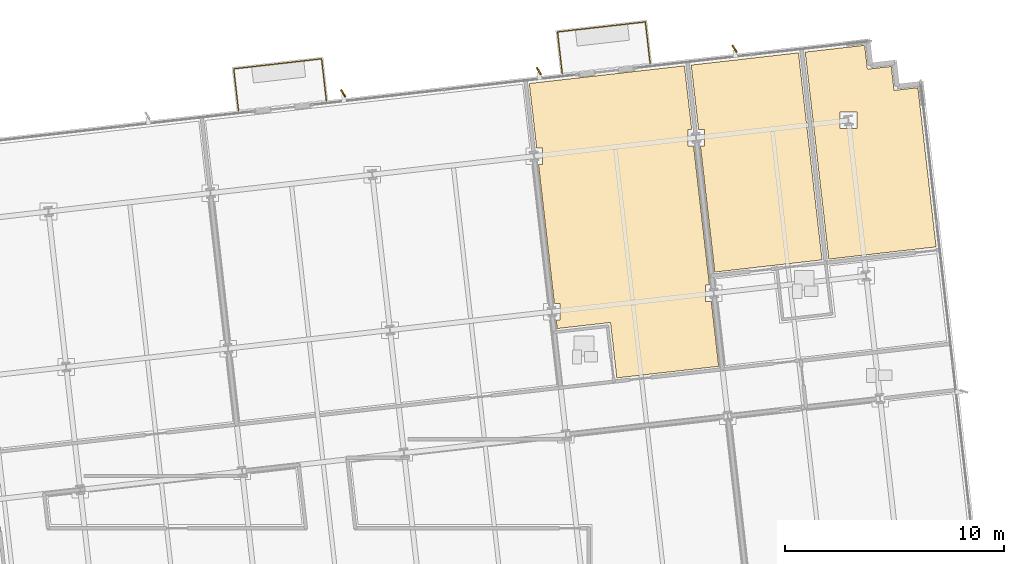
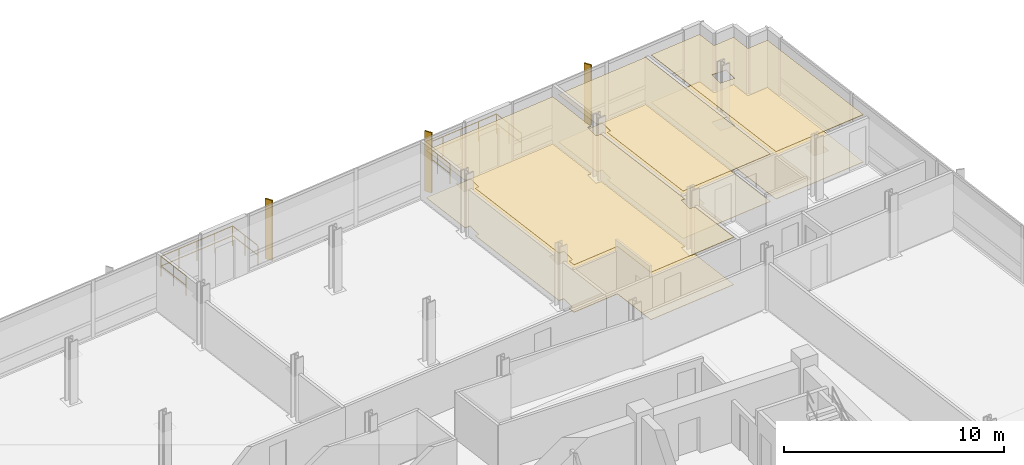
# One storey, part 15 of 16: 6 coverings, 6 railings, 3 shading devices.
"""IFC4 building model written with IfcOpenShell, lengths in metres."""

from ifc_helpers import new_model, si_unit, direction, frame, origin, origin_2d, place, context, subcontext, project, spatial, polyline, rectangle, circle, outline, extrude, material, layer, layer_set, type_object, element, save


model = new_model("IFC4")

# Units and contexts
model_context = context("Model", 3, precision=1e-05, world=origin(), true_north=direction((0.0, 1.0)))
body_context = subcontext(model_context, "Body", "Model", "MODEL_VIEW")
ifc_project = project(units=[si_unit("LENGTHUNIT", "METRE"), si_unit("AREAUNIT", "SQUARE_METRE"), si_unit("VOLUMEUNIT", "CUBIC_METRE"), si_unit("PLANEANGLEUNIT", "RADIAN"), si_unit("MASSUNIT", "GRAM", prefix="KILO")], contexts=[model_context])

# Site, building, storey
site_placement = place(None, origin())
site = spatial("IfcSite", under=ifc_project, at=site_placement, CompositionType="ELEMENT")
building_placement = place(site_placement, origin())
building = spatial("IfcBuilding", under=site, at=building_placement, Name="Solmavex Isthmus Hotel", CompositionType="ELEMENT")
storey_placement = place(building_placement, frame((0.0, 0.0, 233.10009765625)))
storey = spatial("IfcBuildingStorey", under=building, at=storey_placement, Name="L63", CompositionType="ELEMENT", Elevation=233.10009765625)

# Coverings
ifc_material_1 = material(Name="Gypsum plasterboard lining", Category="gypsum")
ifc_layer_1 = layer(ifc_material_1, 0.030029296875)
ifc_layer_set_1 = layer_set([ifc_layer_1], Name="Gypsum plasterboard lining")
covering_type_1 = type_object("IfcCoveringType", Name="COV-CEIL-GYP", PredefinedType="CEILING", material=ifc_layer_set_1)
covering_1_placement = place(storey_placement, frame((0.0, 0.0, 2.619873046875)))
element("IfcCovering", 1, at=covering_1_placement, inside=storey, type_object=covering_type_1, Name="Suspended Acoustic Ceiling L63-RM03", PredefinedType="CEILING", context=body_context, shape_type="SweptSolid", body=[
    extrude(outline(polyline([(10.833740234375, 10.821044921875), (11.10107421875, 10.821044921875), (11.10107421875, 10.06103515625), (10.92041015625, 10.06103515625), (10.96484375, 9.670654296875), (13.399169921875, 9.947998046875), (13.687744140625, 7.41455078125), (18.343505859375, 7.945068359375), (18.006591796875, 10.904052734375), (17.7392578125, 10.904052734375), (17.7392578125, 11.6640625), (17.919921875, 11.6640625), (17.19677734375, 18.010009765625), (16.929443359375, 18.010009765625), (16.929443359375, 18.77001953125), (17.1103515625, 18.77001953125), (16.779052734375, 21.676025390625), (9.68896484375, 20.868408203125), (10.024169921875, 17.92724609375), (10.29150390625, 17.92724609375), (10.29150390625, 17.167236328125), (10.110595703125, 17.167236328125), (10.833740234375, 10.821044921875)])), origin(), (0.0, 0.0, 1.0), 0.030029296875),
])
covering_2_placement = place(storey_placement, frame((0.0, 0.0, 2.619873046875)))
element("IfcCovering", 2, at=covering_2_placement, inside=storey, type_object=covering_type_1, Name="Suspended Acoustic Ceiling L63-HB04", PredefinedType="CEILING", context=body_context, shape_type="SweptSolid", body=[
    extrude(outline(polyline([(17.42236328125, 18.77001953125), (17.689453125, 18.77001953125), (17.689453125, 18.010009765625), (17.5087890625, 18.010009765625), (18.044189453125, 13.3115234375), (18.1650390625, 12.25048828125), (23.0673828125, 12.80908203125), (21.989501953125, 22.269775390625), (17.087158203125, 21.711181640625), (17.42236328125, 18.77001953125)])), origin(), (0.0, 0.0, 1.0), 0.030029296875),
])
covering_3_placement = place(storey_placement, frame((0.0, 0.0, 2.619873046875)))
element("IfcCovering", 3, at=covering_3_placement, inside=storey, type_object=covering_type_1, Name="Suspended Acoustic Ceiling L63-HP04", PredefinedType="CEILING", context=body_context, shape_type="SweptSolid", body=[
    extrude(outline(polyline([(25.013916015625, 22.6142578125), (24.194091796875, 22.52099609375), (22.29736328125, 22.304931640625), (23.375244140625, 12.843994140625), (28.277587890625, 13.402587890625), (27.542236328125, 19.85791015625), (27.44873046875, 20.677490234375), (26.35595703125, 20.552978515625), (26.231201171875, 21.64599609375), (25.138427734375, 21.521484375), (25.013916015625, 22.6142578125)]), holes=[polyline([(23.892578125, 19.5634765625), (24.652587890625, 19.5634765625), (24.652587890625, 18.803466796875), (23.892578125, 18.803466796875), (23.892578125, 19.5634765625)])]), origin(), (0.0, 0.0, 1.0), 0.030029296875),
])
ifc_material_2 = material(Name="Travertine natural stone", Category="masonry")
ifc_layer_2 = layer(ifc_material_2, 0.02490234375)
ifc_layer_set_2 = layer_set([ifc_layer_2], Name="Travertine natural stone")
covering_type_2 = type_object("IfcCoveringType", Name="COV-FLOR-STN", PredefinedType="FLOORING", material=ifc_layer_set_2)
covering_4_placement = place(storey_placement, origin())
element("IfcCovering", 4, at=covering_4_placement, inside=storey, type_object=covering_type_2, Name="Stone and Timber Floor Finish L63-RM03", PredefinedType="FLOORING", context=body_context, shape_type="SweptSolid", body=[
    extrude(outline(polyline([(10.833740234375, 10.821044921875), (11.10107421875, 10.821044921875), (11.10107421875, 10.06103515625), (10.92041015625, 10.06103515625), (10.96484375, 9.670654296875), (13.399169921875, 9.947998046875), (13.687744140625, 7.41455078125), (18.343505859375, 7.945068359375), (18.006591796875, 10.904052734375), (17.7392578125, 10.904052734375), (17.7392578125, 11.6640625), (17.919921875, 11.6640625), (17.19677734375, 18.010009765625), (16.929443359375, 18.010009765625), (16.929443359375, 18.77001953125), (17.1103515625, 18.77001953125), (16.779052734375, 21.676025390625), (9.68896484375, 20.868408203125), (10.024169921875, 17.92724609375), (10.29150390625, 17.92724609375), (10.29150390625, 17.167236328125), (10.110595703125, 17.167236328125), (10.833740234375, 10.821044921875)])), origin(), (0.0, 0.0, 1.0), 0.02490234375),
])
covering_5_placement = place(storey_placement, origin())
element("IfcCovering", 5, at=covering_5_placement, inside=storey, type_object=covering_type_2, Name="Stone and Timber Floor Finish L63-HB04", PredefinedType="FLOORING", context=body_context, shape_type="SweptSolid", body=[
    extrude(outline(polyline([(17.42236328125, 18.77001953125), (17.689453125, 18.77001953125), (17.689453125, 18.010009765625), (17.5087890625, 18.010009765625), (18.044189453125, 13.3115234375), (18.1650390625, 12.25048828125), (23.0673828125, 12.80908203125), (21.989501953125, 22.269775390625), (17.087158203125, 21.711181640625), (17.42236328125, 18.77001953125)])), origin(), (0.0, 0.0, 1.0), 0.02490234375),
])
covering_6_placement = place(storey_placement, origin())
element("IfcCovering", 6, at=covering_6_placement, inside=storey, type_object=covering_type_2, Name="Stone and Timber Floor Finish L63-HP04", PredefinedType="FLOORING", context=body_context, shape_type="SweptSolid", body=[
    extrude(outline(polyline([(25.013916015625, 22.6142578125), (24.194091796875, 22.52099609375), (22.29736328125, 22.304931640625), (23.375244140625, 12.843994140625), (28.277587890625, 13.402587890625), (27.542236328125, 19.85791015625), (27.44873046875, 20.677490234375), (26.35595703125, 20.552978515625), (26.231201171875, 21.64599609375), (25.138427734375, 21.521484375), (25.013916015625, 22.6142578125)]), holes=[polyline([(23.892578125, 19.5634765625), (24.652587890625, 19.5634765625), (24.652587890625, 18.803466796875), (23.892578125, 18.803466796875), (23.892578125, 19.5634765625)])]), origin(), (0.0, 0.0, 1.0), 0.02490234375),
])

# Railings
ifc_material_3 = material(Name="Clear low-E laminated glass", Category="glass")
ifc_layer_3 = layer(ifc_material_3, 0.070068359375)
ifc_layer_set_3 = layer_set([ifc_layer_3], Name="Clear low-E laminated glass")
railing_type = type_object("IfcRailingType", Name="RAIL-GUARD-1100", PredefinedType="BALUSTRADE", material=ifc_layer_set_3)
railing_1_placement = place(storey_placement, frame((-3.600341796875, 19.630859375, 0.0)))
element("IfcRailing", 7, at=railing_1_placement, inside=storey, type_object=railing_type, Name="Guardrail Balustrade L63-BAL1-01", PredefinedType="BALUSTRADE", context=body_context, shape_type="SweptSolid", body=[
    extrude(circle(Radius=0.02392578125, at=origin_2d()), frame((0.0, 0.0, 1.09619140625), z_axis=(-0.113166454875, 0.993576043135, 0.0), x_axis=(-0.993576043135, -0.113166454875, 0.0)), (0.0, 0.0, 1.0), 1.920166015625),
    extrude(circle(Radius=0.02392578125, at=origin_2d()), frame((0.0, 0.0, 0.56005859375), z_axis=(-0.113166454875, 0.993576043135, 0.0), x_axis=(-0.993576043135, -0.113166454875, 0.0)), (0.0, 0.0, 1.0), 1.920166015625),
    extrude(circle(Radius=0.02099609375, at=origin_2d()), origin(), (0.0, 0.0, 1.0), 1.072021484375),
    extrude(circle(Radius=0.02099609375, at=origin_2d()), frame((-0.108642578125, 0.953857421875, 0.0)), (0.0, 0.0, 1.0), 1.072021484375),
    extrude(circle(Radius=0.02099609375, at=origin_2d()), frame((-0.21728515625, 1.90771484375, 0.0)), (0.0, 0.0, 1.0), 1.072021484375),
])
railing_2_placement = place(storey_placement, frame((-3.817626953125, 21.53857421875, 0.0)))
element("IfcRailing", 8, at=railing_2_placement, inside=storey, type_object=railing_type, Name="Guardrail Balustrade L63-BAL1-02", PredefinedType="BALUSTRADE", context=body_context, shape_type="SweptSolid", body=[
    extrude(circle(Radius=0.02392578125, at=origin_2d()), frame((0.0, 0.0, 1.09619140625), z_axis=(0.993573319275, 0.113190367192, 0.0), x_axis=(-0.113190367192, 0.993573319275, 0.0)), (0.0, 0.0, 1.0), 4.039794921875),
    extrude(circle(Radius=0.02392578125, at=origin_2d()), frame((0.0, 0.0, 0.56005859375), z_axis=(0.993573319275, 0.113190367192, 0.0), x_axis=(-0.113190367192, 0.993573319275, 0.0)), (0.0, 0.0, 1.0), 4.039794921875),
    extrude(circle(Radius=0.02099609375, at=origin_2d()), origin(), (0.0, 0.0, 1.0), 1.072021484375),
    extrude(circle(Radius=0.02099609375, at=origin_2d()), frame((1.00341796875, 0.1142578125, 0.0)), (0.0, 0.0, 1.0), 1.072021484375),
    extrude(circle(Radius=0.02099609375, at=origin_2d()), frame((2.0068359375, 0.228515625, 0.0)), (0.0, 0.0, 1.0), 1.072021484375),
    extrude(circle(Radius=0.02099609375, at=origin_2d()), frame((3.010498046875, 0.343017578125, 0.0)), (0.0, 0.0, 1.0), 1.072021484375),
    extrude(circle(Radius=0.02099609375, at=origin_2d()), frame((4.013916015625, 0.457275390625, 0.0)), (0.0, 0.0, 1.0), 1.072021484375),
])
railing_3_placement = place(storey_placement, frame((0.1962890625, 21.995849609375, 0.0)))
element("IfcRailing", 9, at=railing_3_placement, inside=storey, type_object=railing_type, Name="Guardrail Balustrade L63-BAL1-03", PredefinedType="BALUSTRADE", context=body_context, shape_type="SweptSolid", body=[
    extrude(circle(Radius=0.02392578125, at=origin_2d()), frame((0.0, 0.0, 1.09619140625), z_axis=(0.113180753722, -0.993574414418, 0.0), x_axis=(0.993574414418, 0.113180753722, 0.0)), (0.0, 0.0, 1.0), 1.919921875),
    extrude(circle(Radius=0.02392578125, at=origin_2d()), frame((0.0, 0.0, 0.56005859375), z_axis=(0.113180753722, -0.993574414418, 0.0), x_axis=(0.993574414418, 0.113180753722, 0.0)), (0.0, 0.0, 1.0), 1.919921875),
    extrude(circle(Radius=0.02099609375, at=origin_2d()), origin(), (0.0, 0.0, 1.0), 1.072021484375),
    extrude(circle(Radius=0.02099609375, at=origin_2d()), frame((0.108642578125, -0.95361328125, 0.0)), (0.0, 0.0, 1.0), 1.072021484375),
    extrude(circle(Radius=0.02099609375, at=origin_2d()), frame((0.21728515625, -1.907470703125, 0.0)), (0.0, 0.0, 1.0), 1.072021484375),
])
railing_4_placement = place(storey_placement, frame((11.196044921875, 21.31689453125, 0.0)))
element("IfcRailing", 10, at=railing_4_placement, inside=storey, type_object=railing_type, Name="Guardrail Balustrade L63-BAL2-01", PredefinedType="BALUSTRADE", context=body_context, shape_type="SweptSolid", body=[
    extrude(circle(Radius=0.02392578125, at=origin_2d()), frame((0.0, 0.0, 1.09619140625), z_axis=(-0.113306291372, 0.993560106051, 0.0), x_axis=(-0.993560106051, -0.113306291372, 0.0)), (0.0, 0.0, 1.0), 1.919921875),
    extrude(circle(Radius=0.02392578125, at=origin_2d()), frame((0.0, 0.0, 0.56005859375), z_axis=(-0.113306291372, 0.993560106051, 0.0), x_axis=(-0.993560106051, -0.113306291372, 0.0)), (0.0, 0.0, 1.0), 1.919921875),
    extrude(circle(Radius=0.02099609375, at=origin_2d()), origin(), (0.0, 0.0, 1.0), 1.072021484375),
    extrude(circle(Radius=0.02099609375, at=origin_2d()), frame((-0.10888671875, 0.95361328125, 0.0)), (0.0, 0.0, 1.0), 1.072021484375),
    extrude(circle(Radius=0.02099609375, at=origin_2d()), frame((-0.217529296875, 1.907470703125, 0.0)), (0.0, 0.0, 1.0), 1.072021484375),
])
railing_5_placement = place(storey_placement, frame((10.978515625, 23.224365234375, 0.0)))
element("IfcRailing", 11, at=railing_5_placement, inside=storey, type_object=railing_type, Name="Guardrail Balustrade L63-BAL2-02", PredefinedType="BALUSTRADE", context=body_context, shape_type="SweptSolid", body=[
    extrude(circle(Radius=0.02392578125, at=origin_2d()), frame((0.0, 0.0, 1.09619140625), z_axis=(0.993567296105, 0.113243225453, 0.0), x_axis=(-0.113243225453, 0.993567296105, 0.0)), (0.0, 0.0, 1.0), 4.0400390625),
    extrude(circle(Radius=0.02392578125, at=origin_2d()), frame((0.0, 0.0, 0.56005859375), z_axis=(0.993567296105, 0.113243225453, 0.0), x_axis=(-0.113243225453, 0.993567296105, 0.0)), (0.0, 0.0, 1.0), 4.0400390625),
    extrude(circle(Radius=0.02099609375, at=origin_2d()), origin(), (0.0, 0.0, 1.0), 1.072021484375),
    extrude(circle(Radius=0.02099609375, at=origin_2d()), frame((1.00341796875, 0.1142578125, 0.0)), (0.0, 0.0, 1.0), 1.072021484375),
    extrude(circle(Radius=0.02099609375, at=origin_2d()), frame((2.007080078125, 0.228759765625, 0.0)), (0.0, 0.0, 1.0), 1.072021484375),
    extrude(circle(Radius=0.02099609375, at=origin_2d()), frame((3.0107421875, 0.34326171875, 0.0)), (0.0, 0.0, 1.0), 1.072021484375),
    extrude(circle(Radius=0.02099609375, at=origin_2d()), frame((4.01416015625, 0.45751953125, 0.0)), (0.0, 0.0, 1.0), 1.072021484375),
])
railing_6_placement = place(storey_placement, frame((14.99267578125, 23.681884765625, 0.0)))
element("IfcRailing", 12, at=railing_6_placement, inside=storey, type_object=railing_type, Name="Guardrail Balustrade L63-BAL2-03", PredefinedType="BALUSTRADE", context=body_context, shape_type="SweptSolid", body=[
    extrude(circle(Radius=0.02392578125, at=origin_2d()), frame((0.0, 0.0, 1.09619140625), z_axis=(0.113166454875, -0.993576043135, 0.0), x_axis=(0.993576043135, 0.113166454875, 0.0)), (0.0, 0.0, 1.0), 1.920166015625),
    extrude(circle(Radius=0.02392578125, at=origin_2d()), frame((0.0, 0.0, 0.56005859375), z_axis=(0.113166454875, -0.993576043135, 0.0), x_axis=(0.993576043135, 0.113166454875, 0.0)), (0.0, 0.0, 1.0), 1.920166015625),
    extrude(circle(Radius=0.02099609375, at=origin_2d()), origin(), (0.0, 0.0, 1.0), 1.072021484375),
    extrude(circle(Radius=0.02099609375, at=origin_2d()), frame((0.108642578125, -0.953857421875, 0.0)), (0.0, 0.0, 1.0), 1.072021484375),
    extrude(circle(Radius=0.02099609375, at=origin_2d()), frame((0.21728515625, -1.90771484375, 0.0)), (0.0, 0.0, 1.0), 1.072021484375),
])

# Shading devices
ifc_material_4 = material(Name="Aluminium alloy 6063-T6", Category="aluminium")
shading_device_type = type_object("IfcShadingDeviceType", Name="SHD-FIN-CHAMP", PredefinedType="USERDEFINED", material=ifc_material_4)
for number, where, z_axis, x_axis, name in (
    (13, (1.184326171875, 20.417724609375, -0.14013671875), (0.0, 0.0, 1.0), (-0.537299608347, 0.843391445813, 0.0), "Anodised Aluminium Solar Fin L63-N3"),
    (14, (10.12646484375, 21.4365234375, -0.14013671875), (0.0, 0.0, 1.0), (-0.537299608347, 0.843391445813, 0.0), "Anodised Aluminium Solar Fin L63-N4"),
    (15, (19.068603515625, 22.455322265625, -0.14013671875), (0.0, 0.0, 1.0), (-0.537299608347, 0.843391445813, 0.0), "Anodised Aluminium Solar Fin L63-N5"),
):
    element("IfcShadingDevice", number, at=place(storey_placement, frame(where, z_axis=z_axis, x_axis=x_axis)), inside=storey, type_object=shading_device_type, Name=name, ObjectType="SOLAR_FIN", PredefinedType="USERDEFINED", context=body_context, shape_type="SweptSolid", body=[
        extrude(rectangle(XDim=0.3798828125, YDim=0.070068359375, at=origin_2d()), origin(), (0.0, 0.0, 1.0), 3.330078125),
    ])

save(model, "model.ifc")
